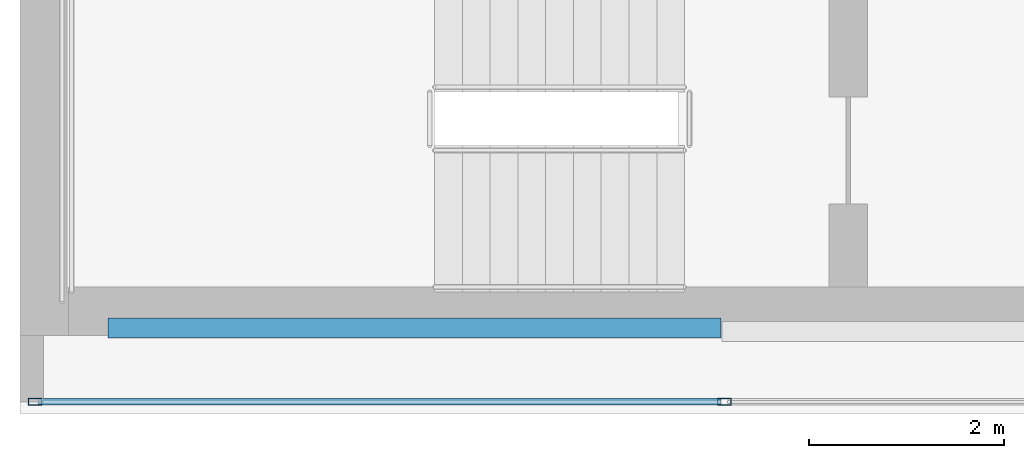
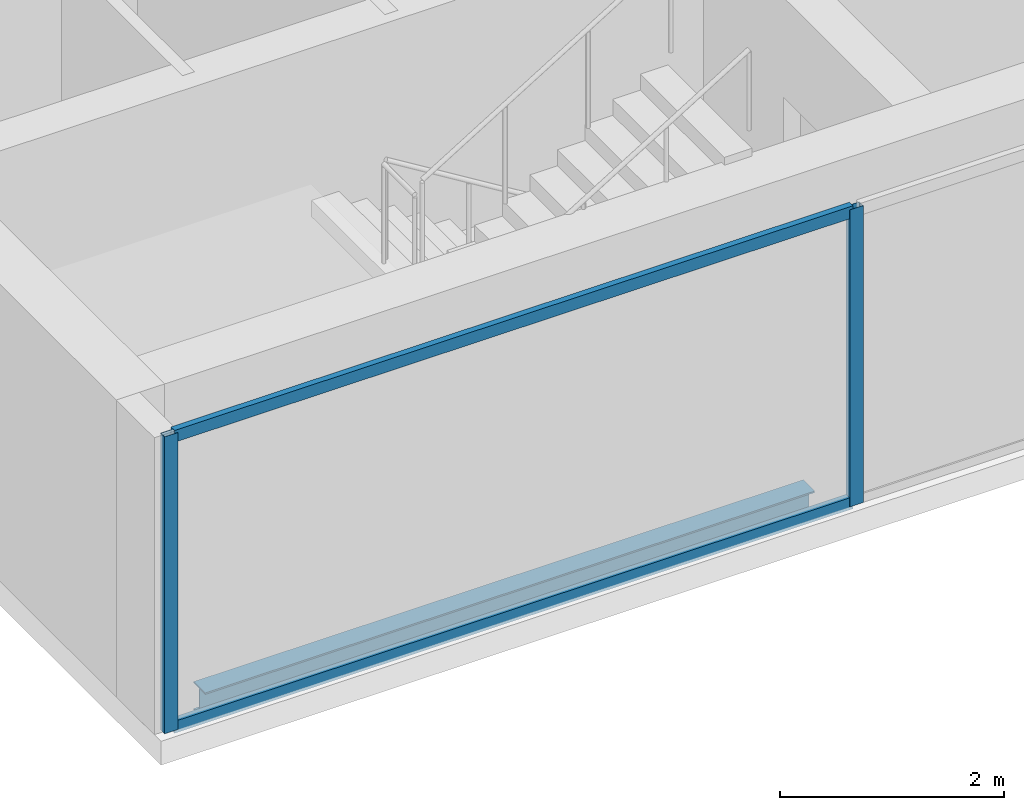
# One storey, part 2 of 24: 4 members, 1 beam, 1 element without a shape of its own.
"""IFC4 building model written with IfcOpenShell, lengths in metres."""

from ifc_helpers import new_model, si_unit, direction, frame, origin, origin_2d, place, context, subcontext, project, spatial, hollow_rectangle, i_section, extrude, material, material_profile, profile_set, type_object, element, aggregate, save


model = new_model("IFC4")

# Units and contexts
model_context = context("Model", 3, precision=1e-05, world=origin(), true_north=direction((0.0, 1.0)))
body_context = subcontext(model_context, "Body", "Model", "MODEL_VIEW")
ifc_project = project(units=[si_unit("LENGTHUNIT", "METRE"), si_unit("AREAUNIT", "SQUARE_METRE"), si_unit("VOLUMEUNIT", "CUBIC_METRE"), si_unit("PLANEANGLEUNIT", "RADIAN"), si_unit("MASSUNIT", "GRAM", prefix="KILO")], contexts=[model_context])

# Site, building, storey
site_placement = place(None, origin())
site = spatial("IfcSite", under=ifc_project, at=site_placement, CompositionType="ELEMENT")
building_placement = place(site_placement, origin())
building = spatial("IfcBuilding", under=site, at=building_placement, Name="Cobrela Telecom Tower", CompositionType="ELEMENT")
storey_placement = place(building_placement, frame((0.0, 0.0, 290.14990234375)))
storey = spatial("IfcBuildingStorey", under=building, at=storey_placement, Name="L76", CompositionType="ELEMENT", Elevation=290.14990234375)

# Beam
ifc_material_1 = material(Name="Steel ASTM A992 Grade 50", Category="steel")
ifc_material_profile_1 = material_profile(ifc_material_1, i_section(OverallWidth=0.205078125, OverallDepth=0.31005859375, WebThickness=0.009521484375, FlangeThickness=0.016357421875, FilletRadius=0.010986328125, at=origin_2d()), Name="W12X50")
ifc_profile_set_1 = profile_set([ifc_material_profile_1], Name="Steel ASTM A992 Grade 50")
beam_type = type_object("IfcBeamType", Name="BM-SPAND-07", PredefinedType="SPANDREL", material=ifc_profile_set_1)
beam_placement = place(storey_placement, frame((0.905029296875, 7.280029296875, -0.414794921875), z_axis=(1.0, 0.0, 0.0), x_axis=(0.0, 1.0, 0.0)))
element("IfcBeam", 1, at=beam_placement, inside=storey, type_object=beam_type, Name="L76 Perimeter Spandrel X01", PredefinedType="SPANDREL", context=body_context, shape_type="SweptSolid", body=[
    extrude(i_section(OverallWidth=0.205078125, OverallDepth=0.31005859375, WebThickness=0.009521484375, FlangeThickness=0.016357421875, FilletRadius=0.010986328125, at=origin_2d()), origin(), (0.0, 0.0, 1.0), 6.2900390625),
])

# Curtain wall, members
ifc_material_2 = material(Name="Anodized Bronze Aluminium 6063-T6", Category="aluminium")
curtain_wall_type = type_object("IfcCurtainWallType", Name="CW-SYS-OFF-HI", PredefinedType="USERDEFINED", material=ifc_material_2)
curtain_wall_placement = place(storey_placement, origin())
curtain_wall = element("IfcCurtainWall", 2, at=curtain_wall_placement, inside=storey, type_object=curtain_wall_type, Name="L76 Unitised Bronze Curtain Wall 15", ObjectType="UNITISED CURTAIN WALL", PredefinedType="USERDEFINED")
ifc_material_profile_2 = material_profile(ifc_material_2, hollow_rectangle(XDim=0.070068359375, YDim=0.139892578125, WallThickness=0.00390625, at=origin_2d()), Name="ALU 70x140x4")
ifc_profile_set_2 = profile_set([ifc_material_profile_2], Name="Anodized Bronze Aluminium 6063-T6")
member_type_1 = type_object("IfcMemberType", Name="CW-SYS-OFF-HI-MUL", PredefinedType="MULLION", material=ifc_profile_set_2)
member_1_placement = place(storey_placement, frame((7.228271484375, 6.52001953125, 0.0), z_axis=(0.0, 0.0, 1.0), x_axis=(0.0, -1.0, 0.0)))
member_1 = element("IfcMember", 3, at=member_1_placement, type_object=member_type_1, Name="CW-OFF-HI mullion 6", PredefinedType="MULLION", context=body_context, shape_type="SweptSolid", body=[
    extrude(hollow_rectangle(XDim=0.070068359375, YDim=0.139892578125, WallThickness=0.00390625, at=origin_2d()), origin(), (0.0, 0.0, 1.0), 3.239990234375),
])
member_2_placement = place(storey_placement, frame((0.155029296875, 6.52001953125, 0.0), z_axis=(0.0, 0.0, 1.0), x_axis=(0.0, -1.0, 0.0)))
member_2 = element("IfcMember", 4, at=member_2_placement, type_object=member_type_1, Name="CW-OFF-HI mullion 7", PredefinedType="MULLION", context=body_context, shape_type="SweptSolid", body=[
    extrude(hollow_rectangle(XDim=0.070068359375, YDim=0.139892578125, WallThickness=0.00390625, at=origin_2d()), origin(), (0.0, 0.0, 1.0), 3.239990234375),
])
ifc_material_profile_3 = material_profile(ifc_material_2, hollow_rectangle(XDim=0.06494140625, YDim=0.1298828125, WallThickness=0.00390625, at=origin_2d()), Name="ALU 65x130x4")
ifc_profile_set_3 = profile_set([ifc_material_profile_3], Name="Anodized Bronze Aluminium 6063-T6")
member_type_2 = type_object("IfcMemberType", Name="CW-SYS-OFF-HI-TRN", PredefinedType="USERDEFINED", material=ifc_profile_set_3)
member_3_placement = place(storey_placement, frame((7.193359375, 6.52001953125, 0.03271484375), z_axis=(-1.0, 0.0, 0.0), x_axis=(0.0, -1.0, 0.0)))
member_3 = element("IfcMember", 5, at=member_3_placement, type_object=member_type_2, Name="CW-OFF-HI transom 6.1", ObjectType="TRANSOM", PredefinedType="USERDEFINED", context=body_context, shape_type="SweptSolid", body=[
    extrude(hollow_rectangle(XDim=0.06494140625, YDim=0.1298828125, WallThickness=0.00390625, at=origin_2d()), origin(), (0.0, 0.0, 1.0), 7.00341796875),
])
member_4_placement = place(storey_placement, frame((7.193359375, 6.52001953125, 3.20751953125), z_axis=(-1.0, 0.0, 0.0), x_axis=(0.0, -1.0, 0.0)))
member_4 = element("IfcMember", 6, at=member_4_placement, type_object=member_type_2, Name="CW-OFF-HI transom 6.2", ObjectType="TRANSOM", PredefinedType="USERDEFINED", context=body_context, shape_type="SweptSolid", body=[
    extrude(hollow_rectangle(XDim=0.06494140625, YDim=0.1298828125, WallThickness=0.00390625, at=origin_2d()), origin(), (0.0, 0.0, 1.0), 7.00341796875),
])
aggregate(curtain_wall, [member_1, member_2, member_3, member_4])

save(model, "model.ifc")
